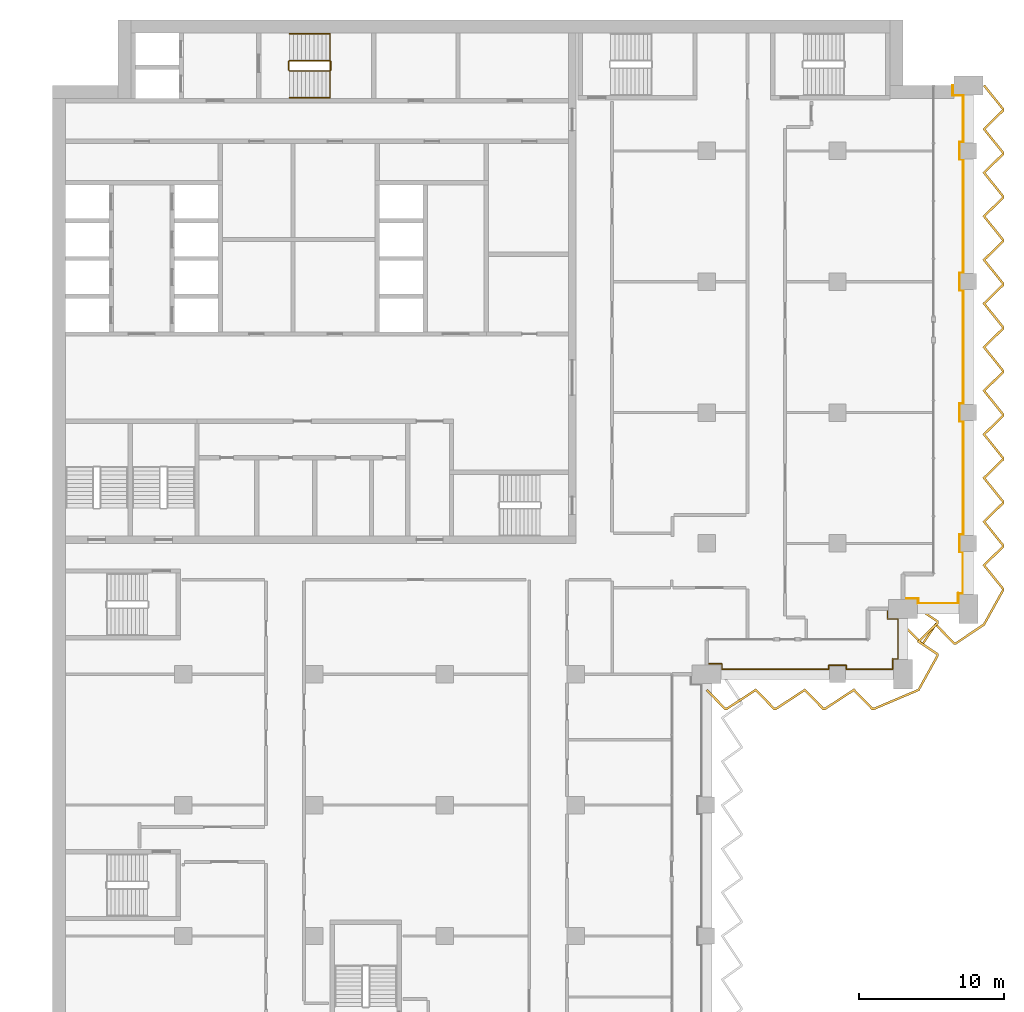
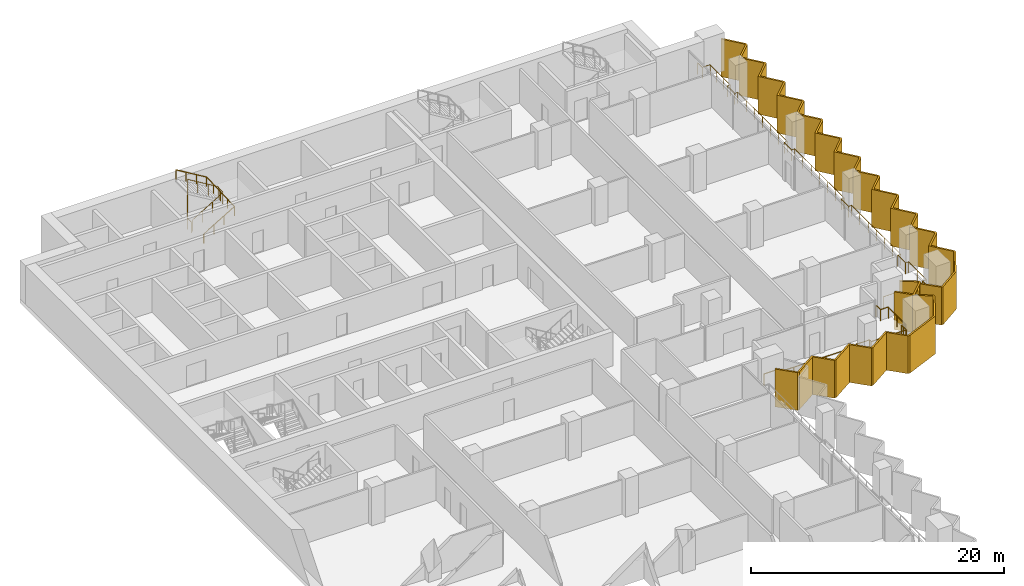
# One storey, part 21 of 22: 4 railings, 2 shading devices.
"""IFC4 building model written with IfcOpenShell, lengths in metres."""

from ifc_helpers import new_model, si_unit, direction, frame, origin, origin_2d, place, context, subcontext, project, spatial, polyline, circle, outline, extrude, material, layer, layer_set, type_object, element, save


model = new_model("IFC4")

# Units and contexts
model_context = context("Model", 3, precision=1e-05, world=origin(), true_north=direction((0.0, 1.0)))
body_context = subcontext(model_context, "Body", "Model", "MODEL_VIEW")
ifc_project = project(units=[si_unit("LENGTHUNIT", "METRE"), si_unit("AREAUNIT", "SQUARE_METRE"), si_unit("VOLUMEUNIT", "CUBIC_METRE"), si_unit("PLANEANGLEUNIT", "RADIAN"), si_unit("MASSUNIT", "GRAM", prefix="KILO")], contexts=[model_context])

# Site, building, storey
site_placement = place(None, origin())
site = spatial("IfcSite", under=ifc_project, at=site_placement, CompositionType="ELEMENT")
building_placement = place(site_placement, origin())
building = spatial("IfcBuilding", under=site, at=building_placement, Name="Hunhe Ridgeline Campus", CompositionType="ELEMENT")
storey_placement = place(building_placement, frame((0.0, 0.0, 137.5)))
storey = spatial("IfcBuildingStorey", under=building, at=storey_placement, Name="L34", CompositionType="ELEMENT", Elevation=137.5)

# Railings
ifc_material_1 = material(Name="Steel Q355", Category="steel")
railing_type_1 = type_object("IfcRailingType", Name="Loggia guard 1100 Steel Q355", PredefinedType="GUARDRAIL", material=ifc_material_1)
railing_1_placement = place(storey_placement, frame((45.0, 54.719970703125, 0.0)))
element("IfcRailing", 1, at=railing_1_placement, inside=storey, type_object=railing_type_1, Name="Loggia guard 2", PredefinedType="GUARDRAIL", context=body_context, shape_type="SweptSolid", body=[
    extrude(circle(Radius=0.02392578125, at=origin_2d()), frame((0.0, 0.0, 1.076171875), z_axis=(1.0, 0.0, 0.0), x_axis=(0.0, 1.0, 0.0)), (0.0, 0.0, 1.0), 1.050048828125),
    extrude(circle(Radius=0.02392578125, at=origin_2d()), frame((1.050048828125, 0.0, 1.076171875), z_axis=(0.0, -1.0, 0.0), x_axis=(1.0, 0.0, 0.0)), (0.0, 0.0, 1.0), 0.369873046875),
    extrude(circle(Radius=0.02392578125, at=origin_2d()), frame((1.050048828125, -0.369873046875, 1.076171875), z_axis=(1.0, 0.0, 0.0), x_axis=(0.0, 1.0, 0.0)), (0.0, 0.0, 1.0), 7.349853515625),
    extrude(circle(Radius=0.02392578125, at=origin_2d()), frame((8.39990234375, -0.369873046875, 1.076171875), z_axis=(0.0, 1.0, 0.0), x_axis=(-1.0, 0.0, 0.0)), (0.0, 0.0, 1.0), 0.27001953125),
    extrude(circle(Radius=0.02392578125, at=origin_2d()), frame((8.39990234375, -0.099853515625, 1.076171875), z_axis=(1.0, 0.0, 0.0), x_axis=(0.0, 1.0, 0.0)), (0.0, 0.0, 1.0), 1.2001953125),
    extrude(circle(Radius=0.02392578125, at=origin_2d()), frame((9.60009765625, -0.099853515625, 1.076171875), z_axis=(0.0, -1.0, 0.0), x_axis=(1.0, 0.0, 0.0)), (0.0, 0.0, 1.0), 0.27001953125),
    extrude(circle(Radius=0.02392578125, at=origin_2d()), frame((9.60009765625, -0.369873046875, 1.076171875), z_axis=(1.0, 0.0, 0.0), x_axis=(0.0, 1.0, 0.0)), (0.0, 0.0, 1.0), 3.199951171875),
    extrude(circle(Radius=0.02392578125, at=origin_2d()), frame((12.800048828125, -0.369873046875, 1.076171875), z_axis=(0.0, 1.0, 0.0), x_axis=(-1.0, 0.0, 0.0)), (0.0, 0.0, 1.0), 0.719970703125),
    extrude(circle(Radius=0.02392578125, at=origin_2d()), frame((12.800048828125, 0.35009765625, 1.076171875), z_axis=(-0.057089444596, -0.998369067688, 0.0), x_axis=(0.998369067688, -0.057089444596, 0.0)), (0.0, 0.0, 1.0), 0.3505859375),
    extrude(circle(Radius=0.02392578125, at=origin_2d()), frame((12.780029296875, 0.0, 1.076171875), z_axis=(0.0, 1.0, 0.0), x_axis=(-1.0, 0.0, 0.0)), (0.0, 0.0, 1.0), 0.330078125),
    extrude(circle(Radius=0.02392578125, at=origin_2d()), frame((12.780029296875, 0.330078125, 1.076171875), z_axis=(1.0, 0.0, 0.0), x_axis=(0.0, 1.0, 0.0)), (0.0, 0.0, 1.0), 0.369873046875),
    extrude(circle(Radius=0.02392578125, at=origin_2d()), frame((13.14990234375, 0.330078125, 1.076171875), z_axis=(0.0, 1.0, 0.0), x_axis=(-1.0, 0.0, 0.0)), (0.0, 0.0, 1.0), 2.75),
    extrude(circle(Radius=0.02392578125, at=origin_2d()), frame((13.14990234375, 3.080078125, 1.076171875), z_axis=(-1.0, 0.0, 0.0), x_axis=(0.0, -1.0, 0.0)), (0.0, 0.0, 1.0), 0.719970703125),
    extrude(circle(Radius=0.02392578125, at=origin_2d()), frame((12.429931640625, 3.080078125, 1.076171875), z_axis=(0.0, 1.0, 0.0), x_axis=(-1.0, 0.0, 0.0)), (0.0, 0.0, 1.0), 0.699951171875),
    extrude(circle(Radius=0.02099609375, at=origin_2d()), origin(), (0.0, 0.0, 1.0), 1.052001953125),
    extrude(circle(Radius=0.02099609375, at=origin_2d()), frame((1.050048828125, 0.0, 0.0)), (0.0, 0.0, 1.0), 1.052001953125),
    extrude(circle(Radius=0.02099609375, at=origin_2d()), frame((1.050048828125, -0.369873046875, 0.0)), (0.0, 0.0, 1.0), 1.052001953125),
    extrude(circle(Radius=0.02099609375, at=origin_2d()), frame((2.52001953125, -0.369873046875, 0.0)), (0.0, 0.0, 1.0), 1.052001953125),
    extrude(circle(Radius=0.02099609375, at=origin_2d()), frame((3.989990234375, -0.369873046875, 0.0)), (0.0, 0.0, 1.0), 1.052001953125),
    extrude(circle(Radius=0.02099609375, at=origin_2d()), frame((5.4599609375, -0.369873046875, 0.0)), (0.0, 0.0, 1.0), 1.052001953125),
    extrude(circle(Radius=0.02099609375, at=origin_2d()), frame((6.929931640625, -0.369873046875, 0.0)), (0.0, 0.0, 1.0), 1.052001953125),
    extrude(circle(Radius=0.02099609375, at=origin_2d()), frame((8.39990234375, -0.369873046875, 0.0)), (0.0, 0.0, 1.0), 1.052001953125),
    extrude(circle(Radius=0.02099609375, at=origin_2d()), frame((8.39990234375, -0.099853515625, 0.0)), (0.0, 0.0, 1.0), 1.052001953125),
    extrude(circle(Radius=0.02099609375, at=origin_2d()), frame((9.60009765625, -0.099853515625, 0.0)), (0.0, 0.0, 1.0), 1.052001953125),
    extrude(circle(Radius=0.02099609375, at=origin_2d()), frame((9.60009765625, -0.369873046875, 0.0)), (0.0, 0.0, 1.0), 1.052001953125),
    extrude(circle(Radius=0.02099609375, at=origin_2d()), frame((10.666748046875, -0.369873046875, 0.0)), (0.0, 0.0, 1.0), 1.052001953125),
    extrude(circle(Radius=0.02099609375, at=origin_2d()), frame((11.7333984375, -0.369873046875, 0.0)), (0.0, 0.0, 1.0), 1.052001953125),
    extrude(circle(Radius=0.02099609375, at=origin_2d()), frame((12.800048828125, -0.369873046875, 0.0)), (0.0, 0.0, 1.0), 1.052001953125),
    extrude(circle(Radius=0.02099609375, at=origin_2d()), frame((12.800048828125, 0.35009765625, 0.0)), (0.0, 0.0, 1.0), 1.052001953125),
    extrude(circle(Radius=0.02099609375, at=origin_2d()), frame((12.780029296875, 0.0, 0.0)), (0.0, 0.0, 1.0), 1.052001953125),
    extrude(circle(Radius=0.02099609375, at=origin_2d()), frame((12.780029296875, 0.330078125, 0.0)), (0.0, 0.0, 1.0), 1.052001953125),
    extrude(circle(Radius=0.02099609375, at=origin_2d()), frame((13.14990234375, 0.330078125, 0.0)), (0.0, 0.0, 1.0), 1.052001953125),
    extrude(circle(Radius=0.02099609375, at=origin_2d()), frame((13.14990234375, 1.705078125, 0.0)), (0.0, 0.0, 1.0), 1.052001953125),
    extrude(circle(Radius=0.02099609375, at=origin_2d()), frame((13.14990234375, 3.080078125, 0.0)), (0.0, 0.0, 1.0), 1.052001953125),
    extrude(circle(Radius=0.02099609375, at=origin_2d()), frame((12.429931640625, 3.080078125, 0.0)), (0.0, 0.0, 1.0), 1.052001953125),
    extrude(circle(Radius=0.02099609375, at=origin_2d()), frame((12.429931640625, 3.780029296875, 0.0)), (0.0, 0.0, 1.0), 1.052001953125),
])
railing_2_placement = place(storey_placement, frame((58.5, 59.219970703125, 0.0)))
element("IfcRailing", 2, at=railing_2_placement, inside=storey, type_object=railing_type_1, Name="Loggia guard 3", PredefinedType="GUARDRAIL", context=body_context, shape_type="SweptSolid", body=[
    extrude(circle(Radius=0.02392578125, at=origin_2d()), frame((0.0, 0.0, 1.076171875), z_axis=(1.0, 0.0, 0.0), x_axis=(0.0, 1.0, 0.0)), (0.0, 0.0, 1.0), 1.050048828125),
    extrude(circle(Radius=0.02392578125, at=origin_2d()), frame((1.050048828125, 0.0, 1.076171875), z_axis=(0.0, -1.0, 0.0), x_axis=(1.0, 0.0, 0.0)), (0.0, 0.0, 1.0), 0.369873046875),
    extrude(circle(Radius=0.02392578125, at=origin_2d()), frame((1.050048828125, -0.369873046875, 1.076171875), z_axis=(1.0, 0.0, 0.0), x_axis=(0.0, 1.0, 0.0)), (0.0, 0.0, 1.0), 2.75),
    extrude(circle(Radius=0.02392578125, at=origin_2d()), frame((3.800048828125, -0.369873046875, 1.076171875), z_axis=(0.0, 1.0, 0.0), x_axis=(-1.0, 0.0, 0.0)), (0.0, 0.0, 1.0), 0.719970703125),
    extrude(circle(Radius=0.02392578125, at=origin_2d()), frame((3.800048828125, 0.35009765625, 1.076171875), z_axis=(-0.057089444596, -0.998369067688, 0.0), x_axis=(0.998369067688, -0.057089444596, 0.0)), (0.0, 0.0, 1.0), 0.3505859375),
    extrude(circle(Radius=0.02392578125, at=origin_2d()), frame((3.780029296875, 0.0, 1.076171875), z_axis=(0.0, 1.0, 0.0), x_axis=(-1.0, 0.0, 0.0)), (0.0, 0.0, 1.0), 0.330078125),
    extrude(circle(Radius=0.02392578125, at=origin_2d()), frame((3.780029296875, 0.330078125, 1.076171875), z_axis=(1.0, 0.0, 0.0), x_axis=(0.0, 1.0, 0.0)), (0.0, 0.0, 1.0), 0.369873046875),
    extrude(circle(Radius=0.02392578125, at=origin_2d()), frame((4.14990234375, 0.330078125, 1.076171875), z_axis=(0.0, 1.0, 0.0), x_axis=(-1.0, 0.0, 0.0)), (0.0, 0.0, 1.0), 2.849853515625),
    extrude(circle(Radius=0.02392578125, at=origin_2d()), frame((4.14990234375, 3.179931640625, 1.076171875), z_axis=(-1.0, 0.0, 0.0), x_axis=(0.0, -1.0, 0.0)), (0.0, 0.0, 1.0), 0.27001953125),
    extrude(circle(Radius=0.02392578125, at=origin_2d()), frame((3.8798828125, 3.179931640625, 1.076171875), z_axis=(0.0, 1.0, 0.0), x_axis=(-1.0, 0.0, 0.0)), (0.0, 0.0, 1.0), 1.2001953125),
    extrude(circle(Radius=0.02392578125, at=origin_2d()), frame((3.8798828125, 4.380126953125, 1.076171875), z_axis=(1.0, 0.0, 0.0), x_axis=(0.0, 1.0, 0.0)), (0.0, 0.0, 1.0), 0.27001953125),
    extrude(circle(Radius=0.02392578125, at=origin_2d()), frame((4.14990234375, 4.380126953125, 1.076171875), z_axis=(0.0, 1.0, 0.0), x_axis=(-1.0, 0.0, 0.0)), (0.0, 0.0, 1.0), 7.7998046875),
    extrude(circle(Radius=0.02392578125, at=origin_2d()), frame((4.14990234375, 12.179931640625, 1.076171875), z_axis=(-1.0, 0.0, 0.0), x_axis=(0.0, -1.0, 0.0)), (0.0, 0.0, 1.0), 0.27001953125),
    extrude(circle(Radius=0.02392578125, at=origin_2d()), frame((3.8798828125, 12.179931640625, 1.076171875), z_axis=(0.0, 1.0, 0.0), x_axis=(-1.0, 0.0, 0.0)), (0.0, 0.0, 1.0), 1.2001953125),
    extrude(circle(Radius=0.02392578125, at=origin_2d()), frame((3.8798828125, 13.380126953125, 1.076171875), z_axis=(1.0, 0.0, 0.0), x_axis=(0.0, 1.0, 0.0)), (0.0, 0.0, 1.0), 0.27001953125),
    extrude(circle(Radius=0.02392578125, at=origin_2d()), frame((4.14990234375, 13.380126953125, 1.076171875), z_axis=(0.0, 1.0, 0.0), x_axis=(-1.0, 0.0, 0.0)), (0.0, 0.0, 1.0), 7.7998046875),
    extrude(circle(Radius=0.02392578125, at=origin_2d()), frame((4.14990234375, 21.179931640625, 1.076171875), z_axis=(-1.0, 0.0, 0.0), x_axis=(0.0, -1.0, 0.0)), (0.0, 0.0, 1.0), 0.27001953125),
    extrude(circle(Radius=0.02392578125, at=origin_2d()), frame((3.8798828125, 21.179931640625, 1.076171875), z_axis=(0.0, 1.0, 0.0), x_axis=(-1.0, 0.0, 0.0)), (0.0, 0.0, 1.0), 1.2001953125),
    extrude(circle(Radius=0.02392578125, at=origin_2d()), frame((3.8798828125, 22.380126953125, 1.076171875), z_axis=(1.0, 0.0, 0.0), x_axis=(0.0, 1.0, 0.0)), (0.0, 0.0, 1.0), 0.27001953125),
    extrude(circle(Radius=0.02392578125, at=origin_2d()), frame((4.14990234375, 22.380126953125, 1.076171875), z_axis=(0.0, 1.0, 0.0), x_axis=(-1.0, 0.0, 0.0)), (0.0, 0.0, 1.0), 7.7998046875),
    extrude(circle(Radius=0.02392578125, at=origin_2d()), frame((4.14990234375, 30.179931640625, 1.076171875), z_axis=(-1.0, 0.0, 0.0), x_axis=(0.0, -1.0, 0.0)), (0.0, 0.0, 1.0), 0.27001953125),
    extrude(circle(Radius=0.02392578125, at=origin_2d()), frame((3.8798828125, 30.179931640625, 1.076171875), z_axis=(0.0, 1.0, 0.0), x_axis=(-1.0, 0.0, 0.0)), (0.0, 0.0, 1.0), 1.2001953125),
    extrude(circle(Radius=0.02392578125, at=origin_2d()), frame((3.8798828125, 31.380126953125, 1.076171875), z_axis=(1.0, 0.0, 0.0), x_axis=(0.0, 1.0, 0.0)), (0.0, 0.0, 1.0), 0.27001953125),
    extrude(circle(Radius=0.02392578125, at=origin_2d()), frame((4.14990234375, 31.380126953125, 1.076171875), z_axis=(0.0, 1.0, 0.0), x_axis=(-1.0, 0.0, 0.0)), (0.0, 0.0, 1.0), 3.199951171875),
    extrude(circle(Radius=0.02392578125, at=origin_2d()), frame((4.14990234375, 34.580078125, 1.076171875), z_axis=(-1.0, 0.0, 0.0), x_axis=(0.0, -1.0, 0.0)), (0.0, 0.0, 1.0), 0.719970703125),
    extrude(circle(Radius=0.02392578125, at=origin_2d()), frame((3.429931640625, 34.580078125, 1.076171875), z_axis=(0.0, 1.0, 0.0), x_axis=(-1.0, 0.0, 0.0)), (0.0, 0.0, 1.0), 0.699951171875),
    extrude(circle(Radius=0.02099609375, at=origin_2d()), origin(), (0.0, 0.0, 1.0), 1.052001953125),
    extrude(circle(Radius=0.02099609375, at=origin_2d()), frame((1.050048828125, 0.0, 0.0)), (0.0, 0.0, 1.0), 1.052001953125),
    extrude(circle(Radius=0.02099609375, at=origin_2d()), frame((1.050048828125, -0.369873046875, 0.0)), (0.0, 0.0, 1.0), 1.052001953125),
    extrude(circle(Radius=0.02099609375, at=origin_2d()), frame((2.425048828125, -0.369873046875, 0.0)), (0.0, 0.0, 1.0), 1.052001953125),
    extrude(circle(Radius=0.02099609375, at=origin_2d()), frame((3.800048828125, -0.369873046875, 0.0)), (0.0, 0.0, 1.0), 1.052001953125),
    extrude(circle(Radius=0.02099609375, at=origin_2d()), frame((3.800048828125, 0.35009765625, 0.0)), (0.0, 0.0, 1.0), 1.052001953125),
    extrude(circle(Radius=0.02099609375, at=origin_2d()), frame((3.780029296875, 0.0, 0.0)), (0.0, 0.0, 1.0), 1.052001953125),
    extrude(circle(Radius=0.02099609375, at=origin_2d()), frame((3.780029296875, 0.330078125, 0.0)), (0.0, 0.0, 1.0), 1.052001953125),
    extrude(circle(Radius=0.02099609375, at=origin_2d()), frame((4.14990234375, 0.330078125, 0.0)), (0.0, 0.0, 1.0), 1.052001953125),
    extrude(circle(Radius=0.02099609375, at=origin_2d()), frame((4.14990234375, 1.7548828125, 0.0)), (0.0, 0.0, 1.0), 1.052001953125),
    extrude(circle(Radius=0.02099609375, at=origin_2d()), frame((4.14990234375, 3.179931640625, 0.0)), (0.0, 0.0, 1.0), 1.052001953125),
    extrude(circle(Radius=0.02099609375, at=origin_2d()), frame((3.8798828125, 3.179931640625, 0.0)), (0.0, 0.0, 1.0), 1.052001953125),
    extrude(circle(Radius=0.02099609375, at=origin_2d()), frame((3.8798828125, 4.380126953125, 0.0)), (0.0, 0.0, 1.0), 1.052001953125),
    extrude(circle(Radius=0.02099609375, at=origin_2d()), frame((4.14990234375, 4.380126953125, 0.0)), (0.0, 0.0, 1.0), 1.052001953125),
    extrude(circle(Radius=0.02099609375, at=origin_2d()), frame((4.14990234375, 5.68017578125, 0.0)), (0.0, 0.0, 1.0), 1.052001953125),
    extrude(circle(Radius=0.02099609375, at=origin_2d()), frame((4.14990234375, 6.97998046875, 0.0)), (0.0, 0.0, 1.0), 1.052001953125),
    extrude(circle(Radius=0.02099609375, at=origin_2d()), frame((4.14990234375, 8.280029296875, 0.0)), (0.0, 0.0, 1.0), 1.052001953125),
    extrude(circle(Radius=0.02099609375, at=origin_2d()), frame((4.14990234375, 9.580078125, 0.0)), (0.0, 0.0, 1.0), 1.052001953125),
    extrude(circle(Radius=0.02099609375, at=origin_2d()), frame((4.14990234375, 10.8798828125, 0.0)), (0.0, 0.0, 1.0), 1.052001953125),
    extrude(circle(Radius=0.02099609375, at=origin_2d()), frame((4.14990234375, 12.179931640625, 0.0)), (0.0, 0.0, 1.0), 1.052001953125),
    extrude(circle(Radius=0.02099609375, at=origin_2d()), frame((3.8798828125, 12.179931640625, 0.0)), (0.0, 0.0, 1.0), 1.052001953125),
    extrude(circle(Radius=0.02099609375, at=origin_2d()), frame((3.8798828125, 13.380126953125, 0.0)), (0.0, 0.0, 1.0), 1.052001953125),
    extrude(circle(Radius=0.02099609375, at=origin_2d()), frame((4.14990234375, 13.380126953125, 0.0)), (0.0, 0.0, 1.0), 1.052001953125),
    extrude(circle(Radius=0.02099609375, at=origin_2d()), frame((4.14990234375, 14.68017578125, 0.0)), (0.0, 0.0, 1.0), 1.052001953125),
    extrude(circle(Radius=0.02099609375, at=origin_2d()), frame((4.14990234375, 15.97998046875, 0.0)), (0.0, 0.0, 1.0), 1.052001953125),
    extrude(circle(Radius=0.02099609375, at=origin_2d()), frame((4.14990234375, 17.280029296875, 0.0)), (0.0, 0.0, 1.0), 1.052001953125),
    extrude(circle(Radius=0.02099609375, at=origin_2d()), frame((4.14990234375, 18.580078125, 0.0)), (0.0, 0.0, 1.0), 1.052001953125),
    extrude(circle(Radius=0.02099609375, at=origin_2d()), frame((4.14990234375, 19.8798828125, 0.0)), (0.0, 0.0, 1.0), 1.052001953125),
    extrude(circle(Radius=0.02099609375, at=origin_2d()), frame((4.14990234375, 21.179931640625, 0.0)), (0.0, 0.0, 1.0), 1.052001953125),
    extrude(circle(Radius=0.02099609375, at=origin_2d()), frame((3.8798828125, 21.179931640625, 0.0)), (0.0, 0.0, 1.0), 1.052001953125),
    extrude(circle(Radius=0.02099609375, at=origin_2d()), frame((3.8798828125, 22.380126953125, 0.0)), (0.0, 0.0, 1.0), 1.052001953125),
    extrude(circle(Radius=0.02099609375, at=origin_2d()), frame((4.14990234375, 22.380126953125, 0.0)), (0.0, 0.0, 1.0), 1.052001953125),
    extrude(circle(Radius=0.02099609375, at=origin_2d()), frame((4.14990234375, 23.68017578125, 0.0)), (0.0, 0.0, 1.0), 1.052001953125),
    extrude(circle(Radius=0.02099609375, at=origin_2d()), frame((4.14990234375, 24.97998046875, 0.0)), (0.0, 0.0, 1.0), 1.052001953125),
    extrude(circle(Radius=0.02099609375, at=origin_2d()), frame((4.14990234375, 26.280029296875, 0.0)), (0.0, 0.0, 1.0), 1.052001953125),
    extrude(circle(Radius=0.02099609375, at=origin_2d()), frame((4.14990234375, 27.580078125, 0.0)), (0.0, 0.0, 1.0), 1.052001953125),
    extrude(circle(Radius=0.02099609375, at=origin_2d()), frame((4.14990234375, 28.8798828125, 0.0)), (0.0, 0.0, 1.0), 1.052001953125),
    extrude(circle(Radius=0.02099609375, at=origin_2d()), frame((4.14990234375, 30.179931640625, 0.0)), (0.0, 0.0, 1.0), 1.052001953125),
    extrude(circle(Radius=0.02099609375, at=origin_2d()), frame((3.8798828125, 30.179931640625, 0.0)), (0.0, 0.0, 1.0), 1.052001953125),
    extrude(circle(Radius=0.02099609375, at=origin_2d()), frame((3.8798828125, 31.380126953125, 0.0)), (0.0, 0.0, 1.0), 1.052001953125),
    extrude(circle(Radius=0.02099609375, at=origin_2d()), frame((4.14990234375, 31.380126953125, 0.0)), (0.0, 0.0, 1.0), 1.052001953125),
    extrude(circle(Radius=0.02099609375, at=origin_2d()), frame((4.14990234375, 32.44677734375, 0.0)), (0.0, 0.0, 1.0), 1.052001953125),
    extrude(circle(Radius=0.02099609375, at=origin_2d()), frame((4.14990234375, 33.513427734375, 0.0)), (0.0, 0.0, 1.0), 1.052001953125),
    extrude(circle(Radius=0.02099609375, at=origin_2d()), frame((4.14990234375, 34.580078125, 0.0)), (0.0, 0.0, 1.0), 1.052001953125),
    extrude(circle(Radius=0.02099609375, at=origin_2d()), frame((3.429931640625, 34.580078125, 0.0)), (0.0, 0.0, 1.0), 1.052001953125),
    extrude(circle(Radius=0.02099609375, at=origin_2d()), frame((3.429931640625, 35.280029296875, 0.0)), (0.0, 0.0, 1.0), 1.052001953125),
])

# Shading devices
ifc_material_2 = material(Name="Concrete C50", Category="concrete")
ifc_layer = layer(ifc_material_2, 0.14990234375)
ifc_layer_set = layer_set([ifc_layer], Name="Sawtooth concrete fin 150 Concrete C50")
shading_device_type = type_object("IfcShadingDeviceType", Name="Sawtooth concrete fin 150 Concrete C50", PredefinedType="USERDEFINED", material=ifc_layer_set)
shading_device_1_placement = place(storey_placement, frame((0.0, 0.0, -0.949951171875)))
element("IfcShadingDevice", 3, at=shading_device_1_placement, inside=storey, type_object=shading_device_type, Name="Concrete fin screen 2", ObjectType="FIN", PredefinedType="USERDEFINED", context=body_context, shape_type="SweptSolid", body=[
    extrude(outline(polyline([(45.0537109375, 52.977294921875), (44.9462890625, 52.87255859375), (46.23583984375, 51.550048828125), (46.409912109375, 51.550048828125), (48.364501953125, 52.828369140625), (49.61083984375, 51.550048828125), (49.784912109375, 51.550048828125), (51.739501953125, 52.828369140625), (52.98583984375, 51.550048828125), (53.159912109375, 51.550048828125), (55.114501953125, 52.828369140625), (56.36083984375, 51.550048828125), (56.52783203125, 51.550048828125), (59.628173828125, 52.865966796875), (60.949951171875, 55.248046875), (60.949951171875, 55.427734375), (59.69384765625, 56.26123046875), (60.949951171875, 57.48583984375), (60.949951171875, 57.677734375), (59.616455078125, 58.5625), (59.533447265625, 58.4375), (60.800048828125, 57.59716796875), (60.800048828125, 57.549072265625), (59.4560546875, 56.23876953125), (60.800048828125, 55.34716796875), (60.800048828125, 55.286865234375), (59.52197265625, 52.98388671875), (56.497314453125, 51.699951171875), (56.424072265625, 51.699951171875), (55.135498046875, 53.021484375), (53.115234375, 51.699951171875), (53.049072265625, 51.699951171875), (51.760498046875, 53.021484375), (49.740234375, 51.699951171875), (49.674072265625, 51.699951171875), (48.385498046875, 53.021484375), (46.365234375, 51.699951171875), (46.299072265625, 51.699951171875), (45.0537109375, 52.977294921875)])), origin(), (0.0, 0.0, 1.0), 3.64990234375),
])
shading_device_2_placement = place(storey_placement, frame((0.0, 0.0, -0.949951171875)))
element("IfcShadingDevice", 4, at=shading_device_2_placement, inside=storey, type_object=shading_device_type, Name="Concrete fin screen 3", ObjectType="FIN", PredefinedType="USERDEFINED", context=body_context, shape_type="SweptSolid", body=[
    extrude(outline(polyline([(58.5537109375, 57.477294921875), (58.4462890625, 57.37255859375), (59.73583984375, 56.050048828125), (59.927734375, 56.050048828125), (60.76123046875, 57.30615234375), (61.98583984375, 56.050048828125), (62.160400390625, 56.050048828125), (64.1318359375, 57.372802734375), (65.449951171875, 59.748046875), (65.449951171875, 59.9140625), (64.17626953125, 61.493896484375), (65.449951171875, 62.73583984375), (65.449951171875, 62.9140625), (64.17626953125, 64.493896484375), (65.449951171875, 65.73583984375), (65.449951171875, 65.9140625), (64.17626953125, 67.493896484375), (65.449951171875, 68.73583984375), (65.449951171875, 68.9140625), (64.17626953125, 70.493896484375), (65.449951171875, 71.73583984375), (65.449951171875, 71.9140625), (64.17626953125, 73.493896484375), (65.449951171875, 74.73583984375), (65.449951171875, 74.9140625), (64.17626953125, 76.493896484375), (65.449951171875, 77.73583984375), (65.449951171875, 77.9140625), (64.17626953125, 79.493896484375), (65.449951171875, 80.73583984375), (65.449951171875, 80.9140625), (64.17626953125, 82.493896484375), (65.449951171875, 83.73583984375), (65.449951171875, 83.9140625), (64.17626953125, 85.493896484375), (65.449951171875, 86.73583984375), (65.449951171875, 86.9140625), (64.17626953125, 88.493896484375), (65.449951171875, 89.73583984375), (65.449951171875, 89.9140625), (64.17626953125, 91.493896484375), (65.449951171875, 92.73583984375), (65.449951171875, 92.9140625), (64.13330078125, 94.547119140625), (64.0166015625, 94.452880859375), (65.300048828125, 92.861083984375), (65.300048828125, 92.799072265625), (63.973876953125, 91.506103515625), (65.300048828125, 89.861083984375), (65.300048828125, 89.799072265625), (63.973876953125, 88.506103515625), (65.300048828125, 86.861083984375), (65.300048828125, 86.799072265625), (63.973876953125, 85.506103515625), (65.300048828125, 83.861083984375), (65.300048828125, 83.799072265625), (63.973876953125, 82.506103515625), (65.300048828125, 80.861083984375), (65.300048828125, 80.799072265625), (63.973876953125, 79.506103515625), (65.300048828125, 77.861083984375), (65.300048828125, 77.799072265625), (63.973876953125, 76.506103515625), (65.300048828125, 74.861083984375), (65.300048828125, 74.799072265625), (63.973876953125, 73.506103515625), (65.300048828125, 71.861083984375), (65.300048828125, 71.799072265625), (63.973876953125, 70.506103515625), (65.300048828125, 68.861083984375), (65.300048828125, 68.799072265625), (63.973876953125, 67.506103515625), (65.300048828125, 65.861083984375), (65.300048828125, 65.799072265625), (63.973876953125, 64.506103515625), (65.300048828125, 62.861083984375), (65.300048828125, 62.799072265625), (63.973876953125, 61.506103515625), (65.300048828125, 59.861083984375), (65.300048828125, 59.786865234375), (64.018310546875, 57.477294921875), (62.11474609375, 56.199951171875), (62.049072265625, 56.199951171875), (60.73876953125, 57.5439453125), (59.84716796875, 56.199951171875), (59.799072265625, 56.199951171875), (58.5537109375, 57.477294921875)])), origin(), (0.0, 0.0, 1.0), 3.64990234375),
])

# Railings
ifc_material_3 = material(Name="Stainless steel balustrade", Category="steel")
railing_type_2 = type_object("IfcRailingType", Name="Stair guard 1100 stainless", PredefinedType="GUARDRAIL", material=ifc_material_3)
railing_3_placement = place(storey_placement, frame((16.300048828125, 95.5, 0.168212890625)))
element("IfcRailing", 5, at=railing_3_placement, inside=storey, type_object=railing_type_2, Name="L34 stair S1 guard", PredefinedType="GUARDRAIL", context=body_context, shape_type="SweptSolid", body=[
    extrude(circle(Radius=0.02392578125, at=origin_2d()), frame((0.0, 0.0, 1.076171875), z_axis=(0.857242210791, 0.0, 0.514913383045), x_axis=(0.0, 1.0, 0.0)), (0.0, 0.0, 1.0), 3.266357421875),
    extrude(circle(Radius=0.02392578125, at=origin_2d()), frame((2.800048828125, 0.0, 2.7578125), z_axis=(0.705375805398, 0.708833529934, 0.0), x_axis=(-0.708833529934, 0.705375805398, 0.0)), (0.0, 0.0, 1.0), 0.070556640625),
    extrude(circle(Radius=0.02392578125, at=origin_2d()), frame((2.849853515625, 0.050048828125, 2.7578125), z_axis=(0.0, 1.0, 0.0), x_axis=(-1.0, 0.0, 0.0)), (0.0, 0.0, 1.0), 0.599853515625),
    extrude(circle(Radius=0.02392578125, at=origin_2d()), frame((2.849853515625, 0.64990234375, 2.7578125), z_axis=(-0.273343290215, 0.274683208305, 0.921863645432), x_axis=(-0.708833529934, -0.705375805398, 0.0)), (0.0, 0.0, 1.0), 0.18212890625),
    extrude(circle(Radius=0.02392578125, at=origin_2d()), frame((2.800048828125, 0.699951171875, 2.92578125), z_axis=(-0.857242210791, 0.0, 0.514913383045), x_axis=(0.0, -1.0, 0.0)), (0.0, 0.0, 1.0), 3.266357421875),
    extrude(circle(Radius=0.02392578125, at=origin_2d()), frame((0.0, 0.699951171875, 4.60791015625), z_axis=(-0.013524414389, -0.013524414389, -0.999817073484), x_axis=(0.707106781187, -0.707106781187, 0.0)), (0.0, 0.0, 1.0), 3.70068359375),
    extrude(circle(Radius=0.02392578125, at=origin_2d()), frame((-0.050048828125, 0.64990234375, 0.90771484375), z_axis=(0.0, -1.0, 0.0), x_axis=(1.0, 0.0, 0.0)), (0.0, 0.0, 1.0), 0.599853515625),
    extrude(circle(Radius=0.02099609375, at=origin_2d()), origin(), (0.0, 0.0, 1.0), 1.052001953125),
    extrude(circle(Radius=0.02099609375, at=origin_2d()), frame((0.933349609375, 0.0, 0.560546875)), (0.0, 0.0, 1.0), 1.052001953125),
    extrude(circle(Radius=0.02099609375, at=origin_2d()), frame((1.86669921875, 0.0, 1.121337890625)), (0.0, 0.0, 1.0), 1.052001953125),
    extrude(circle(Radius=0.02099609375, at=origin_2d()), frame((2.800048828125, 0.0, 1.681884765625)), (0.0, 0.0, 1.0), 1.052001953125),
    extrude(circle(Radius=0.02099609375, at=origin_2d()), frame((2.849853515625, 0.050048828125, 1.681884765625)), (0.0, 0.0, 1.0), 1.052001953125),
    extrude(circle(Radius=0.02099609375, at=origin_2d()), frame((2.849853515625, 0.64990234375, 1.681884765625)), (0.0, 0.0, 1.0), 1.052001953125),
    extrude(circle(Radius=0.02099609375, at=origin_2d()), frame((2.800048828125, 0.699951171875, 1.849853515625)), (0.0, 0.0, 1.0), 1.052001953125),
    extrude(circle(Radius=0.02099609375, at=origin_2d()), frame((1.86669921875, 0.699951171875, 2.410400390625)), (0.0, 0.0, 1.0), 1.052001953125),
    extrude(circle(Radius=0.02099609375, at=origin_2d()), frame((0.933349609375, 0.699951171875, 2.97119140625)), (0.0, 0.0, 1.0), 1.052001953125),
    extrude(circle(Radius=0.02099609375, at=origin_2d()), frame((0.0, 0.699951171875, 3.53173828125)), (0.0, 0.0, 1.0), 1.052001953125),
    extrude(circle(Radius=0.02099609375, at=origin_2d()), frame((-0.012451171875, 0.6875, 2.606689453125)), (0.0, 0.0, 1.0), 1.052001953125),
    extrude(circle(Radius=0.02099609375, at=origin_2d()), frame((-0.02490234375, 0.6748046875, 1.681640625)), (0.0, 0.0, 1.0), 1.052001953125),
    extrude(circle(Radius=0.02099609375, at=origin_2d()), frame((-0.03759765625, 0.662353515625, 0.7568359375)), (0.0, 0.0, 1.0), 1.052001953125),
    extrude(circle(Radius=0.02099609375, at=origin_2d()), frame((-0.050048828125, 0.64990234375, -0.168212890625)), (0.0, 0.0, 1.0), 1.052001953125),
    extrude(circle(Radius=0.02099609375, at=origin_2d()), frame((-0.050048828125, 0.050048828125, -0.168212890625)), (0.0, 0.0, 1.0), 1.052001953125),
])
ifc_material_4 = material(Name="Stainless steel handrail", Category="steel")
railing_type_3 = type_object("IfcRailingType", Name="Stair handrail 900 stainless", PredefinedType="HANDRAIL", material=ifc_material_4)
railing_4_placement = place(storey_placement, frame((16.300048828125, 93.64990234375, 0.168212890625)))
element("IfcRailing", 6, at=railing_4_placement, inside=storey, type_object=railing_type_3, Name="L34 stair S1 handrail", PredefinedType="HANDRAIL", context=body_context, shape_type="SweptSolid", body=[
    extrude(circle(Radius=0.02392578125, at=origin_2d()), frame((0.0, 0.0, 0.8759765625), z_axis=(0.857242210791, 0.0, 0.514913383045), x_axis=(0.0, 1.0, 0.0)), (0.0, 0.0, 1.0), 3.266357421875),
    extrude(circle(Radius=0.02392578125, at=origin_2d()), frame((2.800048828125, 0.0, 2.5576171875), z_axis=(0.0, 0.999272189381, 0.038145662004), x_axis=(-1.0, 0.0, 0.0)), (0.0, 0.0, 1.0), 4.4033203125),
    extrude(circle(Radius=0.02392578125, at=origin_2d()), frame((2.800048828125, 4.400146484375, 2.7255859375), z_axis=(-0.857242210791, 0.0, 0.514913383045), x_axis=(0.0, -1.0, 0.0)), (0.0, 0.0, 1.0), 3.266357421875),
    extrude(circle(Radius=0.02099609375, at=origin_2d()), origin(), (0.0, 0.0, 1.0), 0.851806640625),
    extrude(circle(Radius=0.02099609375, at=origin_2d()), frame((0.933349609375, 0.0, 0.560546875)), (0.0, 0.0, 1.0), 0.851806640625),
    extrude(circle(Radius=0.02099609375, at=origin_2d()), frame((1.86669921875, 0.0, 1.121337890625)), (0.0, 0.0, 1.0), 0.851806640625),
    extrude(circle(Radius=0.02099609375, at=origin_2d()), frame((2.800048828125, 0.0, 1.681884765625)), (0.0, 0.0, 1.0), 0.851806640625),
    extrude(circle(Radius=0.02099609375, at=origin_2d()), frame((2.800048828125, 1.10009765625, 1.723876953125)), (0.0, 0.0, 1.0), 0.851806640625),
    extrude(circle(Radius=0.02099609375, at=origin_2d()), frame((2.800048828125, 2.2001953125, 1.765869140625)), (0.0, 0.0, 1.0), 0.851806640625),
    extrude(circle(Radius=0.02099609375, at=origin_2d()), frame((2.800048828125, 3.300048828125, 1.807861328125)), (0.0, 0.0, 1.0), 0.851806640625),
    extrude(circle(Radius=0.02099609375, at=origin_2d()), frame((2.800048828125, 4.400146484375, 1.849853515625)), (0.0, 0.0, 1.0), 0.851806640625),
    extrude(circle(Radius=0.02099609375, at=origin_2d()), frame((1.86669921875, 4.400146484375, 2.410400390625)), (0.0, 0.0, 1.0), 0.851806640625),
    extrude(circle(Radius=0.02099609375, at=origin_2d()), frame((0.933349609375, 4.400146484375, 2.97119140625)), (0.0, 0.0, 1.0), 0.851806640625),
    extrude(circle(Radius=0.02099609375, at=origin_2d()), frame((0.0, 4.400146484375, 3.53173828125)), (0.0, 0.0, 1.0), 0.851806640625),
])

save(model, "model.ifc")
